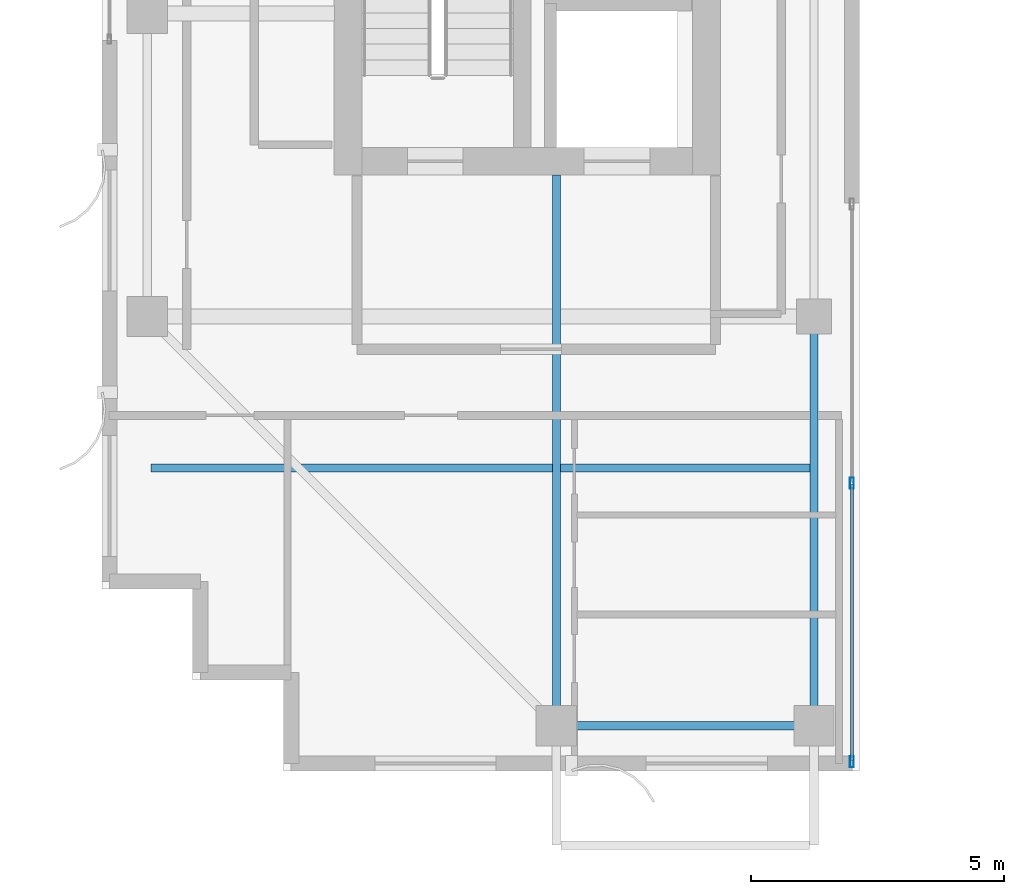
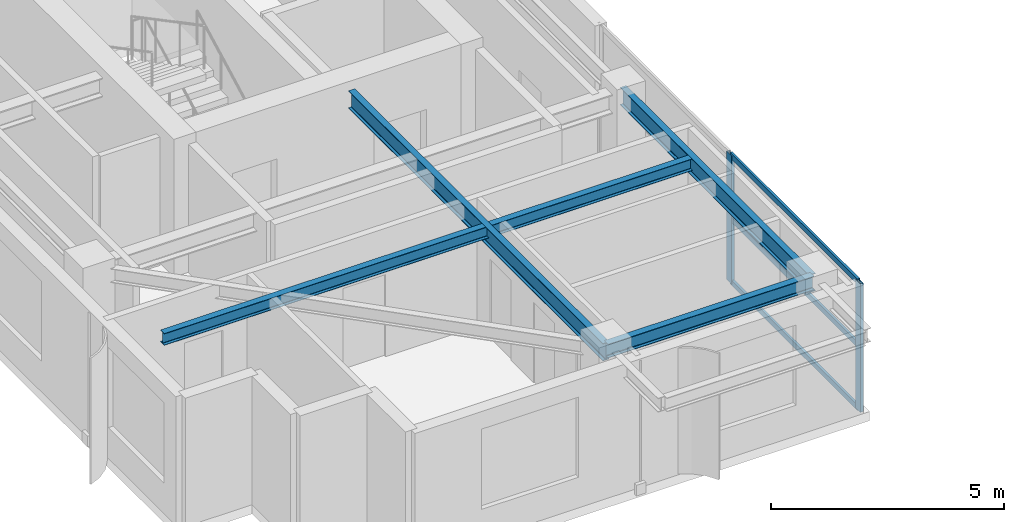
# One storey, part 2 of 22: 5 members, 4 beams, 1 element without a shape of its own.
"""IFC4 building model written with IfcOpenShell, lengths in metres."""

from ifc_helpers import new_model, si_unit, direction, frame, origin, origin_2d, place, context, subcontext, project, spatial, hollow_rectangle, i_section, extrude, source, transform, mapped, material, layer, layer_set, material_profile, profile_set, type_object, element, aggregate, save


model = new_model("IFC4")

# Units and contexts
model_context = context("Model", 3, precision=1e-05, world=origin(), true_north=direction((0.0, 1.0)))
body_context = subcontext(model_context, "Body", "Model", "MODEL_VIEW")
ifc_project = project(units=[si_unit("LENGTHUNIT", "METRE"), si_unit("AREAUNIT", "SQUARE_METRE"), si_unit("VOLUMEUNIT", "CUBIC_METRE"), si_unit("PLANEANGLEUNIT", "RADIAN"), si_unit("MASSUNIT", "GRAM", prefix="KILO")], contexts=[model_context])

# Site, building, storey
site_placement = place(None, origin())
site = spatial("IfcSite", under=ifc_project, at=site_placement, CompositionType="ELEMENT")
building_placement = place(site_placement, origin())
building = spatial("IfcBuilding", under=site, at=building_placement, Name="Khoralis Quay Care Tower", CompositionType="ELEMENT")
storey_placement = place(building_placement, frame((0.0, 0.0, 242.10009765625)))
storey = spatial("IfcBuildingStorey", under=building, at=storey_placement, Name="L63", CompositionType="ELEMENT", Elevation=242.10009765625)

# Beams
ifc_material_1 = material(Name="Steel S355", Category="steel")
ifc_material_profile_1 = material_profile(ifc_material_1, i_section(OverallWidth=0.169921875, OverallDepth=0.360107421875, WebThickness=0.008056640625, FlangeThickness=0.0126953125, FilletRadius=0.01806640625, at=origin_2d()), Name="Steel S355")
ifc_profile_set_1 = profile_set([ifc_material_profile_1], Name="Steel S355")
beam_type_1 = type_object("IfcBeamType", Name="BM-IPE360", PredefinedType="SPANDREL", material=ifc_profile_set_1)
shared_shape_1 = source(origin(), body_context, "Body", "SweptSolid", [
    extrude(i_section(OverallWidth=0.169921875, OverallDepth=0.360107421875, WebThickness=0.008056640625, FlangeThickness=0.0126953125, FilletRadius=0.01806640625, at=origin_2d()), origin(), (0.0, 0.0, 1.0), 5.10009765625),
])
beam_1_placement = place(storey_placement, frame((12.0, 3.89990234375, 3.179931640625), z_axis=(1.0, 0.0, 0.0), x_axis=(0.0, 1.0, 0.0)))
element("IfcBeam", 1, at=beam_1_placement, inside=storey, type_object=beam_type_1, Name="BM-TSP-L63-01", PredefinedType="SPANDREL", context=body_context, shape_type="MappedRepresentation", body=[
    mapped(shared_shape_1, transform((0.0, 0.0, 0.0), scale=1.0)),
])
ifc_material_profile_2 = material_profile(ifc_material_1, i_section(OverallWidth=0.1650390625, OverallDepth=0.31005859375, WebThickness=0.005859375, FlangeThickness=0.009765625, FilletRadius=0.011962890625, at=origin_2d()), Name="Steel S355")
ifc_profile_set_2 = profile_set([ifc_material_profile_2], Name="Steel S355")
beam_type_2 = type_object("IfcBeamType", Name="BM-W310X39", PredefinedType="JOIST", material=ifc_profile_set_2)
shared_shape_2 = source(origin(), body_context, "Body", "SweptSolid", [
    extrude(i_section(OverallWidth=0.1650390625, OverallDepth=0.31005859375, WebThickness=0.005859375, FlangeThickness=0.009765625, FilletRadius=0.011962890625, at=origin_2d()), origin(), (0.0, 0.0, 1.0), 13.06396484375),
])
beam_2_placement = place(storey_placement, frame((3.970947265625, 9.0, 3.204833984375), z_axis=(1.0, 0.0, 0.0), x_axis=(0.0, 1.0, 0.0)))
element("IfcBeam", 2, at=beam_2_placement, inside=storey, type_object=beam_type_2, Name="BM-TJS-L63-17", PredefinedType="JOIST", context=body_context, shape_type="MappedRepresentation", body=[
    mapped(shared_shape_2, transform((0.0, 0.0, 0.0), scale=1.0)),
])
ifc_material_profile_3 = material_profile(ifc_material_1, i_section(OverallWidth=0.154052734375, OverallDepth=0.458984375, WebThickness=0.009033203125, FlangeThickness=0.015380859375, FilletRadius=0.014892578125, at=origin_2d()), Name="Steel S355")
ifc_profile_set_3 = profile_set([ifc_material_profile_3], Name="Steel S355")
beam_type_3 = type_object("IfcBeamType", Name="BM-W460X68", PredefinedType="BEAM", material=ifc_profile_set_3)
shared_shape_3 = source(origin(), body_context, "Body", "SweptSolid", [
    extrude(i_section(OverallWidth=0.154052734375, OverallDepth=0.458984375, WebThickness=0.009033203125, FlangeThickness=0.015380859375, FilletRadius=0.014892578125, at=origin_2d()), origin(), (0.0, 0.0, 1.0), 10.902099609375),
])
beam_3_placement = place(storey_placement, frame((12.0, 3.89990234375, 3.13037109375), z_axis=(0.0, 1.0, 0.0), x_axis=(-1.0, 0.0, 0.0)))
element("IfcBeam", 3, at=beam_3_placement, inside=storey, type_object=beam_type_3, Name="BM-TGYS-L63-120", PredefinedType="BEAM", context=body_context, shape_type="MappedRepresentation", body=[
    mapped(shared_shape_3, transform((0.0, 0.0, 0.0), scale=1.0)),
])
shared_shape_4 = source(origin(), body_context, "Body", "SweptSolid", [
    extrude(i_section(OverallWidth=0.154052734375, OverallDepth=0.458984375, WebThickness=0.009033203125, FlangeThickness=0.015380859375, FilletRadius=0.014892578125, at=origin_2d()), origin(), (0.0, 0.0, 1.0), 8.10009765625),
])
beam_4_placement = place(storey_placement, frame((17.10009765625, 3.89990234375, 3.13037109375), z_axis=(0.0, 1.0, 0.0), x_axis=(-1.0, 0.0, 0.0)))
element("IfcBeam", 4, at=beam_4_placement, inside=storey, type_object=beam_type_3, Name="BM-TGYS-L63-171", PredefinedType="BEAM", context=body_context, shape_type="MappedRepresentation", body=[
    mapped(shared_shape_4, transform((0.0, 0.0, 0.0), scale=1.0)),
])

# Curtain wall, members
ifc_material_2 = material(Name="Pale anodised aluminium", Category="aluminium")
ifc_layer = layer(ifc_material_2, 0.18994140625)
ifc_layer_set = layer_set([ifc_layer], Name="Pale anodised aluminium")
curtain_wall_type = type_object("IfcCurtainWallType", Name="CW-SYS-PORTAL", PredefinedType="NOTDEFINED", material=ifc_layer_set)
curtain_wall_placement = place(storey_placement, origin())
curtain_wall = element("IfcCurtainWall", 5, at=curtain_wall_placement, inside=storey, type_object=curtain_wall_type, Name="L63 Unitised Curtain Wall CW-VP-L63-P1-S", PredefinedType="NOTDEFINED")
ifc_material_profile_4 = material_profile(ifc_material_2, hollow_rectangle(XDim=0.06005859375, YDim=0.139892578125, WallThickness=0.00390625, at=origin_2d()), Name="Pale anodised aluminium")
ifc_profile_set_4 = profile_set([ifc_material_profile_4], Name="Pale anodised aluminium")
member_type_1 = type_object("IfcMemberType", Name="CW-TRN-140", PredefinedType="USERDEFINED", material=ifc_profile_set_4)
shared_shape_5 = source(origin(), body_context, "Body", "SweptSolid", [
    extrude(hollow_rectangle(XDim=0.06005859375, YDim=0.139892578125, WallThickness=0.00390625, at=origin_2d()), origin(), (0.0, 0.0, 1.0), 5.4599609375),
])
member_1_placement = place(storey_placement, frame((17.85009765625, 3.2099609375, 0.02978515625), z_axis=(0.0, 1.0, 0.0), x_axis=(-1.0, 0.0, 0.0)))
member_1 = element("IfcMember", 6, at=member_1_placement, type_object=member_type_1, Name="CW4 transom 1.1", ObjectType="TRANSOM", PredefinedType="USERDEFINED", context=body_context, shape_type="MappedRepresentation", body=[
    mapped(shared_shape_5, transform((0.0, 0.0, 0.0), scale=1.0)),
])
member_2_placement = place(storey_placement, frame((17.85009765625, 3.2099609375, 1.679931640625), z_axis=(0.0, 1.0, 0.0), x_axis=(-1.0, 0.0, 0.0)))
member_2 = element("IfcMember", 7, at=member_2_placement, type_object=member_type_1, Name="CW4 transom 1.2", ObjectType="TRANSOM", PredefinedType="USERDEFINED", context=body_context, shape_type="MappedRepresentation", body=[
    mapped(shared_shape_5, transform((0.0, 0.0, 0.0), scale=1.0)),
])
member_3_placement = place(storey_placement, frame((17.85009765625, 3.2099609375, 3.329833984375), z_axis=(0.0, 1.0, 0.0), x_axis=(-1.0, 0.0, 0.0)))
member_3 = element("IfcMember", 8, at=member_3_placement, type_object=member_type_1, Name="CW4 transom 1.3", ObjectType="TRANSOM", PredefinedType="USERDEFINED", context=body_context, shape_type="MappedRepresentation", body=[
    mapped(shared_shape_5, transform((0.0, 0.0, 0.0), scale=1.0)),
])
ifc_material_profile_5 = material_profile(ifc_material_2, hollow_rectangle(XDim=0.074951171875, YDim=0.219970703125, WallThickness=0.00390625, at=origin_2d()), Name="Pale anodised aluminium")
ifc_profile_set_5 = profile_set([ifc_material_profile_5], Name="Pale anodised aluminium")
member_type_2 = type_object("IfcMemberType", Name="CW-MUL-220", PredefinedType="MULLION", material=ifc_profile_set_5)
shared_shape_6 = source(origin(), body_context, "Body", "SweptSolid", [
    extrude(hollow_rectangle(XDim=0.074951171875, YDim=0.219970703125, WallThickness=0.00390625, at=origin_2d()), origin(), (0.0, 0.0, 1.0), 3.35986328125),
])
member_4_placement = place(storey_placement, frame((17.85009765625, 3.179931640625, 0.0), z_axis=(0.0, 0.0, 1.0), x_axis=(-1.0, 0.0, 0.0)))
member_4 = element("IfcMember", 9, at=member_4_placement, type_object=member_type_2, Name="CW4 mullion 1", PredefinedType="MULLION", context=body_context, shape_type="MappedRepresentation", body=[
    mapped(shared_shape_6, transform((0.0, 0.0, 0.0), scale=1.0)),
])
member_5_placement = place(storey_placement, frame((17.85009765625, 8.699951171875, 0.0), z_axis=(0.0, 0.0, 1.0), x_axis=(-1.0, 0.0, 0.0)))
member_5 = element("IfcMember", 10, at=member_5_placement, type_object=member_type_2, Name="CW4 mullion 2", PredefinedType="MULLION", context=body_context, shape_type="MappedRepresentation", body=[
    mapped(shared_shape_6, transform((0.0, 0.0, 0.0), scale=1.0)),
])
aggregate(curtain_wall, [member_4, member_5, member_1, member_2, member_3])

save(model, "model.ifc")
